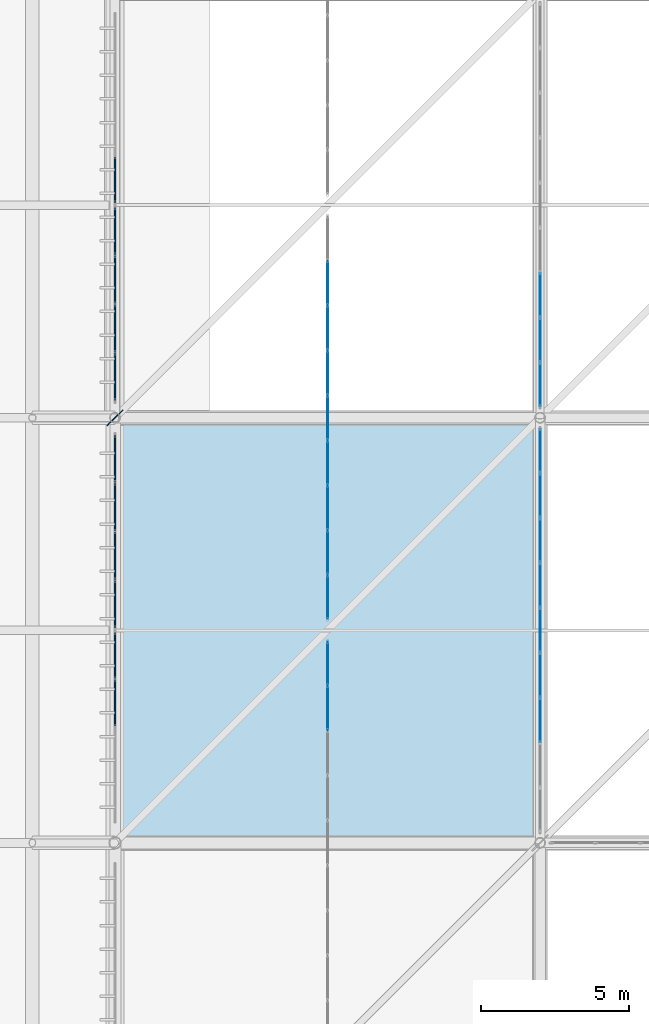
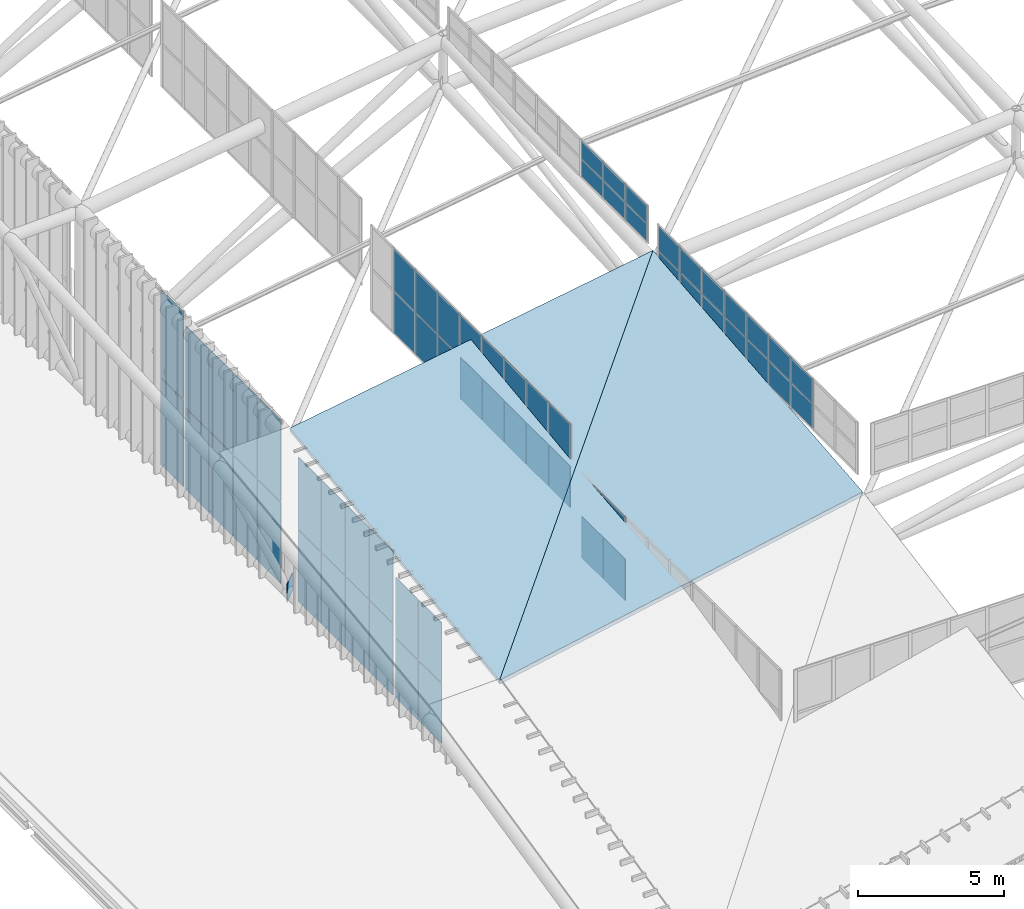
# One storey, part 362 of 397: 63 plates, 2 slabs, 8 elements without a shape of their own.
"""IFC4 building model written with IfcOpenShell, lengths in metres."""

from ifc_helpers import new_model, si_unit, direction, frame, origin, origin_2d, place, context, subcontext, project, spatial, polyline, rectangle, outline, extrude, material, layer, layer_set, type_object, element, aggregate, save


model = new_model("IFC4")

# Units and contexts
model_context = context("Model", 3, precision=1e-05, world=origin(), true_north=direction((0.0, 1.0)))
body_context = subcontext(model_context, "Body", "Model", "MODEL_VIEW")
ifc_project = project(units=[si_unit("LENGTHUNIT", "METRE"), si_unit("AREAUNIT", "SQUARE_METRE"), si_unit("VOLUMEUNIT", "CUBIC_METRE"), si_unit("PLANEANGLEUNIT", "RADIAN"), si_unit("MASSUNIT", "GRAM", prefix="KILO")], contexts=[model_context])

# Site, building, storey
site_placement = place(None, origin())
site = spatial("IfcSite", under=ifc_project, at=site_placement, CompositionType="ELEMENT")
building_placement = place(site_placement, origin())
building = spatial("IfcBuilding", under=site, at=building_placement, Name="Qandorah Velis Arena", CompositionType="ELEMENT")
storey_placement = place(building_placement, frame((0.0, 0.0, 27.5)))
storey = spatial("IfcBuildingStorey", under=building, at=storey_placement, Name="RF", CompositionType="ELEMENT", Elevation=27.5)

# Curtain wall, plates
ifc_material_1 = material(Name="Solar-control low-E double glazing", Category="glass")
curtain_wall_type_1 = type_object("IfcCurtainWallType", Name="ARC-CW-SYS07", PredefinedType="USERDEFINED", material=ifc_material_1)
curtain_wall_1_placement = place(storey_placement, origin())
curtain_wall_1 = element("IfcCurtainWall", 1, at=curtain_wall_1_placement, inside=storey, type_object=curtain_wall_type_1, Name="Unitised curtain wall MON-1-1", ObjectType="UNITISED CURTAIN WALL", PredefinedType="USERDEFINED")
ifc_layer_1 = layer(ifc_material_1, 0.030029296875)
ifc_layer_set_1 = layer_set([ifc_layer_1], Name="Solar-control low-E double glazing")
plate_type_1 = type_object("IfcPlateType", Name="ARC-CWP-GLZ30", PredefinedType="CURTAIN_PANEL", material=ifc_layer_set_1)
plate_1_placement = place(storey_placement, frame((21.60009765625, 33.36669921875, 3.58642578125), z_axis=(0.0, 0.0, 1.0), x_axis=(0.0, 1.0, 0.0)))
plate_1 = element("IfcPlate", 2, at=plate_1_placement, type_object=plate_type_1, Name="CW07 panel 8.1", PredefinedType="CURTAIN_PANEL", context=body_context, shape_type="SweptSolid", body=[
    extrude(rectangle(XDim=1.4873046875, YDim=0.030029296875, at=origin_2d()), origin(), (0.0, 0.0, 1.0), 1.737548828125),
])
plate_2_placement = place(storey_placement, frame((21.60009765625, 33.36669921875, 5.35888671875), z_axis=(0.0, 0.0, 1.0), x_axis=(0.0, 1.0, 0.0)))
plate_2 = element("IfcPlate", 3, at=plate_2_placement, type_object=plate_type_1, Name="CW07 panel 8.2", PredefinedType="CURTAIN_PANEL", context=body_context, shape_type="SweptSolid", body=[
    extrude(rectangle(XDim=1.4873046875, YDim=0.030029296875, at=origin_2d()), origin(), (0.0, 0.0, 1.0), 1.737548828125),
])
plate_3_placement = place(storey_placement, frame((21.60009765625, 34.875244140625, 3.58642578125), z_axis=(0.0, 0.0, 1.0), x_axis=(0.0, 1.0, 0.0)))
plate_3 = element("IfcPlate", 4, at=plate_3_placement, type_object=plate_type_1, Name="CW07 panel 9.1", PredefinedType="CURTAIN_PANEL", context=body_context, shape_type="SweptSolid", body=[
    extrude(rectangle(XDim=1.459716796875, YDim=0.030029296875, at=origin_2d()), origin(), (0.0, 0.0, 1.0), 1.737548828125),
])
plate_4_placement = place(storey_placement, frame((21.60009765625, 34.875244140625, 5.35888671875), z_axis=(0.0, 0.0, 1.0), x_axis=(0.0, 1.0, 0.0)))
plate_4 = element("IfcPlate", 5, at=plate_4_placement, type_object=plate_type_1, Name="CW07 panel 9.2", PredefinedType="CURTAIN_PANEL", context=body_context, shape_type="SweptSolid", body=[
    extrude(rectangle(XDim=1.459716796875, YDim=0.030029296875, at=origin_2d()), origin(), (0.0, 0.0, 1.0), 1.737548828125),
])
aggregate(curtain_wall_1, [plate_1, plate_2, plate_3, plate_4])

curtain_wall_type_2 = type_object("IfcCurtainWallType", Name="ARC-CW-SYS08", PredefinedType="USERDEFINED", material=ifc_material_1)
curtain_wall_2_placement = place(storey_placement, origin())
curtain_wall_2 = element("IfcCurtainWall", 6, at=curtain_wall_2_placement, inside=storey, type_object=curtain_wall_type_2, Name="Unitised curtain wall MON-1-2", ObjectType="UNITISED CURTAIN WALL", PredefinedType="USERDEFINED")
plate_5_placement = place(storey_placement, frame((21.60009765625, 37.124755859375, 5.1943359375), z_axis=(0.0, 0.0, 1.0), x_axis=(0.0, 1.0, 0.0)))
plate_5 = element("IfcPlate", 7, at=plate_5_placement, type_object=plate_type_1, Name="CW08 panel 1.1", PredefinedType="CURTAIN_PANEL", context=body_context, shape_type="SweptSolid", body=[
    extrude(rectangle(XDim=1.459716796875, YDim=0.030029296875, at=origin_2d()), origin(), (0.0, 0.0, 1.0), 1.737548828125),
])
plate_6_placement = place(storey_placement, frame((21.60009765625, 37.124755859375, 6.966796875), z_axis=(0.0, 0.0, 1.0), x_axis=(0.0, 1.0, 0.0)))
plate_6 = element("IfcPlate", 8, at=plate_6_placement, type_object=plate_type_1, Name="CW08 panel 1.2", PredefinedType="CURTAIN_PANEL", context=body_context, shape_type="SweptSolid", body=[
    extrude(rectangle(XDim=1.459716796875, YDim=0.030029296875, at=origin_2d()), origin(), (0.0, 0.0, 1.0), 1.737548828125),
])
plate_7_placement = place(storey_placement, frame((21.60009765625, 38.63330078125, 5.1943359375), z_axis=(0.0, 0.0, 1.0), x_axis=(0.0, 1.0, 0.0)))
plate_7 = element("IfcPlate", 9, at=plate_7_placement, type_object=plate_type_1, Name="CW08 panel 2.1", PredefinedType="CURTAIN_PANEL", context=body_context, shape_type="SweptSolid", body=[
    extrude(rectangle(XDim=1.4873046875, YDim=0.030029296875, at=origin_2d()), origin(), (0.0, 0.0, 1.0), 1.737548828125),
])
plate_8_placement = place(storey_placement, frame((21.60009765625, 38.63330078125, 6.966796875), z_axis=(0.0, 0.0, 1.0), x_axis=(0.0, 1.0, 0.0)))
plate_8 = element("IfcPlate", 10, at=plate_8_placement, type_object=plate_type_1, Name="CW08 panel 2.2", PredefinedType="CURTAIN_PANEL", context=body_context, shape_type="SweptSolid", body=[
    extrude(rectangle(XDim=1.4873046875, YDim=0.030029296875, at=origin_2d()), origin(), (0.0, 0.0, 1.0), 1.737548828125),
])
plate_9_placement = place(storey_placement, frame((21.60009765625, 40.155517578125, 5.1943359375), z_axis=(0.0, 0.0, 1.0), x_axis=(0.0, 1.0, 0.0)))
plate_9 = element("IfcPlate", 11, at=plate_9_placement, type_object=plate_type_1, Name="CW08 panel 3.1", PredefinedType="CURTAIN_PANEL", context=body_context, shape_type="SweptSolid", body=[
    extrude(rectangle(XDim=1.4873046875, YDim=0.030029296875, at=origin_2d()), origin(), (0.0, 0.0, 1.0), 1.737548828125),
])
plate_10_placement = place(storey_placement, frame((21.60009765625, 40.155517578125, 6.966796875), z_axis=(0.0, 0.0, 1.0), x_axis=(0.0, 1.0, 0.0)))
plate_10 = element("IfcPlate", 12, at=plate_10_placement, type_object=plate_type_1, Name="CW08 panel 3.2", PredefinedType="CURTAIN_PANEL", context=body_context, shape_type="SweptSolid", body=[
    extrude(rectangle(XDim=1.4873046875, YDim=0.030029296875, at=origin_2d()), origin(), (0.0, 0.0, 1.0), 1.737548828125),
])
plate_11_placement = place(storey_placement, frame((21.60009765625, 41.677734375, 5.1943359375), z_axis=(0.0, 0.0, 1.0), x_axis=(0.0, 1.0, 0.0)))
plate_11 = element("IfcPlate", 13, at=plate_11_placement, type_object=plate_type_1, Name="CW08 panel 4.1", PredefinedType="CURTAIN_PANEL", context=body_context, shape_type="SweptSolid", body=[
    extrude(rectangle(XDim=1.4873046875, YDim=0.030029296875, at=origin_2d()), origin(), (0.0, 0.0, 1.0), 1.737548828125),
])
plate_12_placement = place(storey_placement, frame((21.60009765625, 41.677734375, 6.966796875), z_axis=(0.0, 0.0, 1.0), x_axis=(0.0, 1.0, 0.0)))
plate_12 = element("IfcPlate", 14, at=plate_12_placement, type_object=plate_type_1, Name="CW08 panel 4.2", PredefinedType="CURTAIN_PANEL", context=body_context, shape_type="SweptSolid", body=[
    extrude(rectangle(XDim=1.4873046875, YDim=0.030029296875, at=origin_2d()), origin(), (0.0, 0.0, 1.0), 1.737548828125),
])
plate_13_placement = place(storey_placement, frame((21.60009765625, 43.199951171875, 5.1943359375), z_axis=(0.0, 0.0, 1.0), x_axis=(0.0, 1.0, 0.0)))
plate_13 = element("IfcPlate", 15, at=plate_13_placement, type_object=plate_type_1, Name="CW08 panel 5.1", PredefinedType="CURTAIN_PANEL", context=body_context, shape_type="SweptSolid", body=[
    extrude(rectangle(XDim=1.4873046875, YDim=0.030029296875, at=origin_2d()), origin(), (0.0, 0.0, 1.0), 1.737548828125),
])
plate_14_placement = place(storey_placement, frame((21.60009765625, 43.199951171875, 6.966796875), z_axis=(0.0, 0.0, 1.0), x_axis=(0.0, 1.0, 0.0)))
plate_14 = element("IfcPlate", 16, at=plate_14_placement, type_object=plate_type_1, Name="CW08 panel 5.2", PredefinedType="CURTAIN_PANEL", context=body_context, shape_type="SweptSolid", body=[
    extrude(rectangle(XDim=1.4873046875, YDim=0.030029296875, at=origin_2d()), origin(), (0.0, 0.0, 1.0), 1.737548828125),
])
plate_15_placement = place(storey_placement, frame((21.60009765625, 44.72216796875, 5.1943359375), z_axis=(0.0, 0.0, 1.0), x_axis=(0.0, 1.0, 0.0)))
plate_15 = element("IfcPlate", 17, at=plate_15_placement, type_object=plate_type_1, Name="CW08 panel 6.1", PredefinedType="CURTAIN_PANEL", context=body_context, shape_type="SweptSolid", body=[
    extrude(rectangle(XDim=1.4873046875, YDim=0.030029296875, at=origin_2d()), origin(), (0.0, 0.0, 1.0), 1.737548828125),
])
plate_16_placement = place(storey_placement, frame((21.60009765625, 44.72216796875, 6.966796875), z_axis=(0.0, 0.0, 1.0), x_axis=(0.0, 1.0, 0.0)))
plate_16 = element("IfcPlate", 18, at=plate_16_placement, type_object=plate_type_1, Name="CW08 panel 6.2", PredefinedType="CURTAIN_PANEL", context=body_context, shape_type="SweptSolid", body=[
    extrude(rectangle(XDim=1.4873046875, YDim=0.030029296875, at=origin_2d()), origin(), (0.0, 0.0, 1.0), 1.737548828125),
])
plate_17_placement = place(storey_placement, frame((21.60009765625, 46.244384765625, 5.1943359375), z_axis=(0.0, 0.0, 1.0), x_axis=(0.0, 1.0, 0.0)))
plate_17 = element("IfcPlate", 19, at=plate_17_placement, type_object=plate_type_1, Name="CW08 panel 7.1", PredefinedType="CURTAIN_PANEL", context=body_context, shape_type="SweptSolid", body=[
    extrude(rectangle(XDim=1.4873046875, YDim=0.030029296875, at=origin_2d()), origin(), (0.0, 0.0, 1.0), 1.737548828125),
])
plate_18_placement = place(storey_placement, frame((21.60009765625, 46.244384765625, 6.966796875), z_axis=(0.0, 0.0, 1.0), x_axis=(0.0, 1.0, 0.0)))
plate_18 = element("IfcPlate", 20, at=plate_18_placement, type_object=plate_type_1, Name="CW08 panel 7.2", PredefinedType="CURTAIN_PANEL", context=body_context, shape_type="SweptSolid", body=[
    extrude(rectangle(XDim=1.4873046875, YDim=0.030029296875, at=origin_2d()), origin(), (0.0, 0.0, 1.0), 1.737548828125),
])
plate_19_placement = place(storey_placement, frame((21.60009765625, 47.7666015625, 5.1943359375), z_axis=(0.0, 0.0, 1.0), x_axis=(0.0, 1.0, 0.0)))
plate_19 = element("IfcPlate", 21, at=plate_19_placement, type_object=plate_type_1, Name="CW08 panel 8.1", PredefinedType="CURTAIN_PANEL", context=body_context, shape_type="SweptSolid", body=[
    extrude(rectangle(XDim=1.4873046875, YDim=0.030029296875, at=origin_2d()), origin(), (0.0, 0.0, 1.0), 1.737548828125),
])
plate_20_placement = place(storey_placement, frame((21.60009765625, 47.7666015625, 6.966796875), z_axis=(0.0, 0.0, 1.0), x_axis=(0.0, 1.0, 0.0)))
plate_20 = element("IfcPlate", 22, at=plate_20_placement, type_object=plate_type_1, Name="CW08 panel 8.2", PredefinedType="CURTAIN_PANEL", context=body_context, shape_type="SweptSolid", body=[
    extrude(rectangle(XDim=1.4873046875, YDim=0.030029296875, at=origin_2d()), origin(), (0.0, 0.0, 1.0), 1.737548828125),
])
aggregate(curtain_wall_2, [plate_5, plate_6, plate_7, plate_8, plate_9, plate_10, plate_11, plate_12, plate_13, plate_14, plate_15, plate_16, plate_17, plate_18, plate_19, plate_20])

curtain_wall_type_3 = type_object("IfcCurtainWallType", Name="ARC-CW-SYS06", PredefinedType="USERDEFINED", material=ifc_material_1)
curtain_wall_3_placement = place(storey_placement, origin())
curtain_wall_3 = element("IfcCurtainWall", 23, at=curtain_wall_3_placement, inside=storey, type_object=curtain_wall_type_3, Name="Unitised curtain wall OCULUS-1-1", ObjectType="UNITISED CURTAIN WALL", PredefinedType="USERDEFINED")
plate_21_placement = place(storey_placement, frame((28.800048828125, 32.95556640625, 8.53125), z_axis=(0.0, 0.0, 1.0), x_axis=(0.0, 1.0, 0.0)))
plate_21 = element("IfcPlate", 24, at=plate_21_placement, type_object=plate_type_1, Name="CW06 panel 3.1", PredefinedType="CURTAIN_PANEL", context=body_context, shape_type="SweptSolid", body=[
    extrude(rectangle(XDim=1.4873046875, YDim=0.030029296875, at=origin_2d()), origin(), (0.0, 0.0, 1.0), 1.012451171875),
])
plate_22_placement = place(storey_placement, frame((28.800048828125, 32.95556640625, 9.57861328125), z_axis=(0.0, 0.0, 1.0), x_axis=(0.0, 1.0, 0.0)))
plate_22 = element("IfcPlate", 25, at=plate_22_placement, type_object=plate_type_1, Name="CW06 panel 3.2", PredefinedType="CURTAIN_PANEL", context=body_context, shape_type="SweptSolid", body=[
    extrude(rectangle(XDim=1.4873046875, YDim=0.030029296875, at=origin_2d()), origin(), (0.0, 0.0, 1.0), 1.012451171875),
])
plate_23_placement = place(storey_placement, frame((28.800048828125, 34.477783203125, 8.53125), z_axis=(0.0, 0.0, 1.0), x_axis=(0.0, 1.0, 0.0)))
plate_23 = element("IfcPlate", 26, at=plate_23_placement, type_object=plate_type_1, Name="CW06 panel 4.1", PredefinedType="CURTAIN_PANEL", context=body_context, shape_type="SweptSolid", body=[
    extrude(rectangle(XDim=1.4873046875, YDim=0.030029296875, at=origin_2d()), origin(), (0.0, 0.0, 1.0), 1.012451171875),
])
plate_24_placement = place(storey_placement, frame((28.800048828125, 34.477783203125, 9.57861328125), z_axis=(0.0, 0.0, 1.0), x_axis=(0.0, 1.0, 0.0)))
plate_24 = element("IfcPlate", 27, at=plate_24_placement, type_object=plate_type_1, Name="CW06 panel 4.2", PredefinedType="CURTAIN_PANEL", context=body_context, shape_type="SweptSolid", body=[
    extrude(rectangle(XDim=1.4873046875, YDim=0.030029296875, at=origin_2d()), origin(), (0.0, 0.0, 1.0), 1.012451171875),
])
plate_25_placement = place(storey_placement, frame((28.800048828125, 36.0, 8.53125), z_axis=(0.0, 0.0, 1.0), x_axis=(0.0, 1.0, 0.0)))
plate_25 = element("IfcPlate", 28, at=plate_25_placement, type_object=plate_type_1, Name="CW06 panel 5.1", PredefinedType="CURTAIN_PANEL", context=body_context, shape_type="SweptSolid", body=[
    extrude(rectangle(XDim=1.4873046875, YDim=0.030029296875, at=origin_2d()), origin(), (0.0, 0.0, 1.0), 1.012451171875),
])
plate_26_placement = place(storey_placement, frame((28.800048828125, 36.0, 9.57861328125), z_axis=(0.0, 0.0, 1.0), x_axis=(0.0, 1.0, 0.0)))
plate_26 = element("IfcPlate", 29, at=plate_26_placement, type_object=plate_type_1, Name="CW06 panel 5.2", PredefinedType="CURTAIN_PANEL", context=body_context, shape_type="SweptSolid", body=[
    extrude(rectangle(XDim=1.4873046875, YDim=0.030029296875, at=origin_2d()), origin(), (0.0, 0.0, 1.0), 1.012451171875),
])
plate_27_placement = place(storey_placement, frame((28.800048828125, 37.522216796875, 8.53125), z_axis=(0.0, 0.0, 1.0), x_axis=(0.0, 1.0, 0.0)))
plate_27 = element("IfcPlate", 30, at=plate_27_placement, type_object=plate_type_1, Name="CW06 panel 6.1", PredefinedType="CURTAIN_PANEL", context=body_context, shape_type="SweptSolid", body=[
    extrude(rectangle(XDim=1.4873046875, YDim=0.030029296875, at=origin_2d()), origin(), (0.0, 0.0, 1.0), 1.012451171875),
])
plate_28_placement = place(storey_placement, frame((28.800048828125, 37.522216796875, 9.57861328125), z_axis=(0.0, 0.0, 1.0), x_axis=(0.0, 1.0, 0.0)))
plate_28 = element("IfcPlate", 31, at=plate_28_placement, type_object=plate_type_1, Name="CW06 panel 6.2", PredefinedType="CURTAIN_PANEL", context=body_context, shape_type="SweptSolid", body=[
    extrude(rectangle(XDim=1.4873046875, YDim=0.030029296875, at=origin_2d()), origin(), (0.0, 0.0, 1.0), 1.012451171875),
])
plate_29_placement = place(storey_placement, frame((28.800048828125, 39.04443359375, 8.53125), z_axis=(0.0, 0.0, 1.0), x_axis=(0.0, 1.0, 0.0)))
plate_29 = element("IfcPlate", 32, at=plate_29_placement, type_object=plate_type_1, Name="CW06 panel 7.1", PredefinedType="CURTAIN_PANEL", context=body_context, shape_type="SweptSolid", body=[
    extrude(rectangle(XDim=1.4873046875, YDim=0.030029296875, at=origin_2d()), origin(), (0.0, 0.0, 1.0), 1.012451171875),
])
plate_30_placement = place(storey_placement, frame((28.800048828125, 39.04443359375, 9.57861328125), z_axis=(0.0, 0.0, 1.0), x_axis=(0.0, 1.0, 0.0)))
plate_30 = element("IfcPlate", 33, at=plate_30_placement, type_object=plate_type_1, Name="CW06 panel 7.2", PredefinedType="CURTAIN_PANEL", context=body_context, shape_type="SweptSolid", body=[
    extrude(rectangle(XDim=1.4873046875, YDim=0.030029296875, at=origin_2d()), origin(), (0.0, 0.0, 1.0), 1.012451171875),
])
plate_31_placement = place(storey_placement, frame((28.800048828125, 40.566650390625, 8.53125), z_axis=(0.0, 0.0, 1.0), x_axis=(0.0, 1.0, 0.0)))
plate_31 = element("IfcPlate", 34, at=plate_31_placement, type_object=plate_type_1, Name="CW06 panel 8.1", PredefinedType="CURTAIN_PANEL", context=body_context, shape_type="SweptSolid", body=[
    extrude(rectangle(XDim=1.4873046875, YDim=0.030029296875, at=origin_2d()), origin(), (0.0, 0.0, 1.0), 1.012451171875),
])
plate_32_placement = place(storey_placement, frame((28.800048828125, 40.566650390625, 9.57861328125), z_axis=(0.0, 0.0, 1.0), x_axis=(0.0, 1.0, 0.0)))
plate_32 = element("IfcPlate", 35, at=plate_32_placement, type_object=plate_type_1, Name="CW06 panel 8.2", PredefinedType="CURTAIN_PANEL", context=body_context, shape_type="SweptSolid", body=[
    extrude(rectangle(XDim=1.4873046875, YDim=0.030029296875, at=origin_2d()), origin(), (0.0, 0.0, 1.0), 1.012451171875),
])
plate_33_placement = place(storey_placement, frame((28.800048828125, 42.0751953125, 8.53125), z_axis=(0.0, 0.0, 1.0), x_axis=(0.0, 1.0, 0.0)))
plate_33 = element("IfcPlate", 36, at=plate_33_placement, type_object=plate_type_1, Name="CW06 panel 9.1", PredefinedType="CURTAIN_PANEL", context=body_context, shape_type="SweptSolid", body=[
    extrude(rectangle(XDim=1.459716796875, YDim=0.030029296875, at=origin_2d()), origin(), (0.0, 0.0, 1.0), 1.012451171875),
])
plate_34_placement = place(storey_placement, frame((28.800048828125, 42.0751953125, 9.57861328125), z_axis=(0.0, 0.0, 1.0), x_axis=(0.0, 1.0, 0.0)))
plate_34 = element("IfcPlate", 37, at=plate_34_placement, type_object=plate_type_1, Name="CW06 panel 9.2", PredefinedType="CURTAIN_PANEL", context=body_context, shape_type="SweptSolid", body=[
    extrude(rectangle(XDim=1.459716796875, YDim=0.030029296875, at=origin_2d()), origin(), (0.0, 0.0, 1.0), 1.012451171875),
])
aggregate(curtain_wall_3, [plate_21, plate_22, plate_23, plate_24, plate_25, plate_26, plate_27, plate_28, plate_29, plate_30, plate_31, plate_32, plate_33, plate_34])

curtain_wall_4_placement = place(storey_placement, origin())
curtain_wall_4 = element("IfcCurtainWall", 38, at=curtain_wall_4_placement, inside=storey, type_object=curtain_wall_type_1, Name="Unitised curtain wall OCULUS-1-2", ObjectType="UNITISED CURTAIN WALL", PredefinedType="USERDEFINED")
plate_35_placement = place(storey_placement, frame((28.800048828125, 44.324951171875, 9.47265625), z_axis=(0.0, 0.0, 1.0), x_axis=(0.0, 1.0, 0.0)))
plate_35 = element("IfcPlate", 39, at=plate_35_placement, type_object=plate_type_1, Name="CW07 panel 1.1", PredefinedType="CURTAIN_PANEL", context=body_context, shape_type="SweptSolid", body=[
    extrude(rectangle(XDim=1.459716796875, YDim=0.030029296875, at=origin_2d()), origin(), (0.0, 0.0, 1.0), 0.723876953125),
])
plate_36_placement = place(storey_placement, frame((28.800048828125, 44.324951171875, 10.2314453125), z_axis=(0.0, 0.0, 1.0), x_axis=(0.0, 1.0, 0.0)))
plate_36 = element("IfcPlate", 40, at=plate_36_placement, type_object=plate_type_1, Name="CW07 panel 1.2", PredefinedType="CURTAIN_PANEL", context=body_context, shape_type="SweptSolid", body=[
    extrude(rectangle(XDim=1.459716796875, YDim=0.030029296875, at=origin_2d()), origin(), (0.0, 0.0, 1.0), 0.7236328125),
])
plate_37_placement = place(storey_placement, frame((28.800048828125, 45.833251953125, 9.47265625), z_axis=(0.0, 0.0, 1.0), x_axis=(0.0, 1.0, 0.0)))
plate_37 = element("IfcPlate", 41, at=plate_37_placement, type_object=plate_type_1, Name="CW07 panel 2.1", PredefinedType="CURTAIN_PANEL", context=body_context, shape_type="SweptSolid", body=[
    extrude(rectangle(XDim=1.4873046875, YDim=0.030029296875, at=origin_2d()), origin(), (0.0, 0.0, 1.0), 0.723876953125),
])
plate_38_placement = place(storey_placement, frame((28.800048828125, 45.833251953125, 10.2314453125), z_axis=(0.0, 0.0, 1.0), x_axis=(0.0, 1.0, 0.0)))
plate_38 = element("IfcPlate", 42, at=plate_38_placement, type_object=plate_type_1, Name="CW07 panel 2.2", PredefinedType="CURTAIN_PANEL", context=body_context, shape_type="SweptSolid", body=[
    extrude(rectangle(XDim=1.4873046875, YDim=0.030029296875, at=origin_2d()), origin(), (0.0, 0.0, 1.0), 0.7236328125),
])
plate_39_placement = place(storey_placement, frame((28.800048828125, 47.35546875, 9.47265625), z_axis=(0.0, 0.0, 1.0), x_axis=(0.0, 1.0, 0.0)))
plate_39 = element("IfcPlate", 43, at=plate_39_placement, type_object=plate_type_1, Name="CW07 panel 3.1", PredefinedType="CURTAIN_PANEL", context=body_context, shape_type="SweptSolid", body=[
    extrude(rectangle(XDim=1.4873046875, YDim=0.030029296875, at=origin_2d()), origin(), (0.0, 0.0, 1.0), 0.723876953125),
])
plate_40_placement = place(storey_placement, frame((28.800048828125, 47.35546875, 10.2314453125), z_axis=(0.0, 0.0, 1.0), x_axis=(0.0, 1.0, 0.0)))
plate_40 = element("IfcPlate", 44, at=plate_40_placement, type_object=plate_type_1, Name="CW07 panel 3.2", PredefinedType="CURTAIN_PANEL", context=body_context, shape_type="SweptSolid", body=[
    extrude(rectangle(XDim=1.4873046875, YDim=0.030029296875, at=origin_2d()), origin(), (0.0, 0.0, 1.0), 0.7236328125),
])
aggregate(curtain_wall_4, [plate_35, plate_36, plate_37, plate_38, plate_39, plate_40])

curtain_wall_type_4 = type_object("IfcCurtainWallType", Name="ARC-CW-SYS02", PredefinedType="USERDEFINED", material=ifc_material_1)
curtain_wall_5_placement = place(storey_placement, origin())
curtain_wall_5 = element("IfcCurtainWall", 45, at=curtain_wall_5_placement, inside=storey, type_object=curtain_wall_type_4, Name="Unitised curtain wall CROWN-1-02S1", ObjectType="UNITISED CURTAIN WALL", PredefinedType="USERDEFINED")
ifc_layer_2 = layer(ifc_material_1, 0.035888671875)
ifc_layer_set_2 = layer_set([ifc_layer_2], Name="Solar-control low-E double glazing")
plate_type_2 = type_object("IfcPlateType", Name="ARC-CWP-GLZ36", PredefinedType="CURTAIN_PANEL", material=ifc_layer_set_2)
plate_41_placement = place(storey_placement, frame((14.39990234375, 33.546875, 0.0498046875), z_axis=(0.0, 0.0, 1.0), x_axis=(0.0, 1.0, 0.0)))
plate_41 = element("IfcPlate", 46, at=plate_41_placement, type_object=plate_type_2, Name="CW02 panel 3.1", PredefinedType="CURTAIN_PANEL", context=body_context, shape_type="SweptSolid", body=[
    extrude(rectangle(XDim=1.56884765625, YDim=0.035888671875, at=origin_2d()), origin(), (0.0, 0.0, 1.0), 2.505615234375),
])
plate_42_placement = place(storey_placement, frame((14.39990234375, 33.546875, 2.595703125), z_axis=(0.0, 0.0, 1.0), x_axis=(0.0, 1.0, 0.0)))
plate_42 = element("IfcPlate", 47, at=plate_42_placement, type_object=plate_type_2, Name="CW02 panel 3.2", PredefinedType="CURTAIN_PANEL", context=body_context, shape_type="SweptSolid", body=[
    extrude(rectangle(XDim=1.56884765625, YDim=0.035888671875, at=origin_2d()), origin(), (0.0, 0.0, 1.0), 2.505615234375),
])
plate_43_placement = place(storey_placement, frame((14.39990234375, 35.140625, 0.0498046875), z_axis=(0.0, 0.0, 1.0), x_axis=(0.0, 1.0, 0.0)))
plate_43 = element("IfcPlate", 48, at=plate_43_placement, type_object=plate_type_2, Name="CW02 panel 4.1", PredefinedType="CURTAIN_PANEL", context=body_context, shape_type="SweptSolid", body=[
    extrude(rectangle(XDim=1.538818359375, YDim=0.035888671875, at=origin_2d()), origin(), (0.0, 0.0, 1.0), 2.505615234375),
])
plate_44_placement = place(storey_placement, frame((14.39990234375, 35.140625, 2.595703125), z_axis=(0.0, 0.0, 1.0), x_axis=(0.0, 1.0, 0.0)))
plate_44 = element("IfcPlate", 49, at=plate_44_placement, type_object=plate_type_2, Name="CW02 panel 4.2", PredefinedType="CURTAIN_PANEL", context=body_context, shape_type="SweptSolid", body=[
    extrude(rectangle(XDim=1.538818359375, YDim=0.035888671875, at=origin_2d()), origin(), (0.0, 0.0, 1.0), 2.505615234375),
])
aggregate(curtain_wall_5, [plate_41, plate_42, plate_43, plate_44])

curtain_wall_type_5 = type_object("IfcCurtainWallType", Name="ARC-CW-SYS03", PredefinedType="USERDEFINED", material=ifc_material_1)
curtain_wall_6_placement = place(storey_placement, origin())
curtain_wall_6 = element("IfcCurtainWall", 50, at=curtain_wall_6_placement, inside=storey, type_object=curtain_wall_type_5, Name="Unitised curtain wall CROWN-1-02S2", ObjectType="UNITISED CURTAIN WALL", PredefinedType="USERDEFINED")
plate_45_placement = place(storey_placement, frame((14.39990234375, 36.88134765625, 0.0498046875), z_axis=(0.0, 0.0, 1.0), x_axis=(0.0, 1.0, 0.0)))
plate_45 = element("IfcPlate", 51, at=plate_45_placement, type_object=plate_type_2, Name="CW03 panel 1.1", PredefinedType="CURTAIN_PANEL", context=body_context, shape_type="SweptSolid", body=[
    extrude(rectangle(XDim=1.58251953125, YDim=0.035888671875, at=origin_2d()), origin(), (0.0, 0.0, 1.0), 2.994873046875),
])
plate_46_placement = place(storey_placement, frame((14.39990234375, 36.88134765625, 3.084716796875), z_axis=(0.0, 0.0, 1.0), x_axis=(0.0, 1.0, 0.0)))
plate_46 = element("IfcPlate", 52, at=plate_46_placement, type_object=plate_type_2, Name="CW03 panel 1.2", PredefinedType="CURTAIN_PANEL", context=body_context, shape_type="SweptSolid", body=[
    extrude(rectangle(XDim=1.58251953125, YDim=0.035888671875, at=origin_2d()), origin(), (0.0, 0.0, 1.0), 2.99462890625),
])
plate_47_placement = place(storey_placement, frame((14.39990234375, 38.518798828125, 0.0498046875), z_axis=(0.0, 0.0, 1.0), x_axis=(0.0, 1.0, 0.0)))
plate_47 = element("IfcPlate", 53, at=plate_47_placement, type_object=plate_type_2, Name="CW03 panel 2.1", PredefinedType="CURTAIN_PANEL", context=body_context, shape_type="SweptSolid", body=[
    extrude(rectangle(XDim=1.612548828125, YDim=0.035888671875, at=origin_2d()), origin(), (0.0, 0.0, 1.0), 2.994873046875),
])
plate_48_placement = place(storey_placement, frame((14.39990234375, 38.518798828125, 3.084716796875), z_axis=(0.0, 0.0, 1.0), x_axis=(0.0, 1.0, 0.0)))
plate_48 = element("IfcPlate", 54, at=plate_48_placement, type_object=plate_type_2, Name="CW03 panel 2.2", PredefinedType="CURTAIN_PANEL", context=body_context, shape_type="SweptSolid", body=[
    extrude(rectangle(XDim=1.612548828125, YDim=0.035888671875, at=origin_2d()), origin(), (0.0, 0.0, 1.0), 2.99462890625),
])
plate_49_placement = place(storey_placement, frame((14.39990234375, 40.171142578125, 0.0498046875), z_axis=(0.0, 0.0, 1.0), x_axis=(0.0, 1.0, 0.0)))
plate_49 = element("IfcPlate", 55, at=plate_49_placement, type_object=plate_type_2, Name="CW03 panel 3.1", PredefinedType="CURTAIN_PANEL", context=body_context, shape_type="SweptSolid", body=[
    extrude(rectangle(XDim=1.612548828125, YDim=0.035888671875, at=origin_2d()), origin(), (0.0, 0.0, 1.0), 2.994873046875),
])
plate_50_placement = place(storey_placement, frame((14.39990234375, 40.171142578125, 3.084716796875), z_axis=(0.0, 0.0, 1.0), x_axis=(0.0, 1.0, 0.0)))
plate_50 = element("IfcPlate", 56, at=plate_50_placement, type_object=plate_type_2, Name="CW03 panel 3.2", PredefinedType="CURTAIN_PANEL", context=body_context, shape_type="SweptSolid", body=[
    extrude(rectangle(XDim=1.612548828125, YDim=0.035888671875, at=origin_2d()), origin(), (0.0, 0.0, 1.0), 2.99462890625),
])
plate_51_placement = place(storey_placement, frame((14.39990234375, 41.808837890625, 0.0498046875), z_axis=(0.0, 0.0, 1.0), x_axis=(0.0, 1.0, 0.0)))
plate_51 = element("IfcPlate", 57, at=plate_51_placement, type_object=plate_type_2, Name="CW03 panel 4.1", PredefinedType="CURTAIN_PANEL", context=body_context, shape_type="SweptSolid", body=[
    extrude(rectangle(XDim=1.58251953125, YDim=0.035888671875, at=origin_2d()), origin(), (0.0, 0.0, 1.0), 2.994873046875),
])
plate_52_placement = place(storey_placement, frame((14.39990234375, 41.808837890625, 3.084716796875), z_axis=(0.0, 0.0, 1.0), x_axis=(0.0, 1.0, 0.0)))
plate_52 = element("IfcPlate", 58, at=plate_52_placement, type_object=plate_type_2, Name="CW03 panel 4.2", PredefinedType="CURTAIN_PANEL", context=body_context, shape_type="SweptSolid", body=[
    extrude(rectangle(XDim=1.58251953125, YDim=0.035888671875, at=origin_2d()), origin(), (0.0, 0.0, 1.0), 2.99462890625),
])
aggregate(curtain_wall_6, [plate_45, plate_46, plate_47, plate_48, plate_49, plate_50, plate_51, plate_52])

curtain_wall_7_placement = place(storey_placement, origin())
curtain_wall_7 = element("IfcCurtainWall", 59, at=curtain_wall_7_placement, inside=storey, type_object=curtain_wall_type_5, Name="Unitised curtain wall CROWN-1-03S1", ObjectType="UNITISED CURTAIN WALL", PredefinedType="USERDEFINED")
plate_53_placement = place(storey_placement, frame((14.39990234375, 44.59130859375, 0.050048828125), z_axis=(0.0, 0.0, 1.0), x_axis=(0.0, 1.0, 0.0)))
plate_53 = element("IfcPlate", 60, at=plate_53_placement, type_object=plate_type_2, Name="CW03 panel 1.1", PredefinedType="CURTAIN_PANEL", context=body_context, shape_type="SweptSolid", body=[
    extrude(rectangle(XDim=1.58251953125, YDim=0.035888671875, at=origin_2d()), origin(), (0.0, 0.0, 1.0), 3.4033203125),
])
plate_54_placement = place(storey_placement, frame((14.39990234375, 44.59130859375, 3.493408203125), z_axis=(0.0, 0.0, 1.0), x_axis=(0.0, 1.0, 0.0)))
plate_54 = element("IfcPlate", 61, at=plate_54_placement, type_object=plate_type_2, Name="CW03 panel 1.2", PredefinedType="CURTAIN_PANEL", context=body_context, shape_type="SweptSolid", body=[
    extrude(rectangle(XDim=1.58251953125, YDim=0.035888671875, at=origin_2d()), origin(), (0.0, 0.0, 1.0), 3.4033203125),
])
plate_55_placement = place(storey_placement, frame((14.39990234375, 46.228759765625, 0.050048828125), z_axis=(0.0, 0.0, 1.0), x_axis=(0.0, 1.0, 0.0)))
plate_55 = element("IfcPlate", 62, at=plate_55_placement, type_object=plate_type_2, Name="CW03 panel 2.1", PredefinedType="CURTAIN_PANEL", context=body_context, shape_type="SweptSolid", body=[
    extrude(rectangle(XDim=1.612548828125, YDim=0.035888671875, at=origin_2d()), origin(), (0.0, 0.0, 1.0), 3.4033203125),
])
plate_56_placement = place(storey_placement, frame((14.39990234375, 46.228759765625, 3.493408203125), z_axis=(0.0, 0.0, 1.0), x_axis=(0.0, 1.0, 0.0)))
plate_56 = element("IfcPlate", 63, at=plate_56_placement, type_object=plate_type_2, Name="CW03 panel 2.2", PredefinedType="CURTAIN_PANEL", context=body_context, shape_type="SweptSolid", body=[
    extrude(rectangle(XDim=1.612548828125, YDim=0.035888671875, at=origin_2d()), origin(), (0.0, 0.0, 1.0), 3.4033203125),
])
plate_57_placement = place(storey_placement, frame((14.39990234375, 47.88134765625, 0.050048828125), z_axis=(0.0, 0.0, 1.0), x_axis=(0.0, 1.0, 0.0)))
plate_57 = element("IfcPlate", 64, at=plate_57_placement, type_object=plate_type_2, Name="CW03 panel 3.1", PredefinedType="CURTAIN_PANEL", context=body_context, shape_type="SweptSolid", body=[
    extrude(rectangle(XDim=1.612548828125, YDim=0.035888671875, at=origin_2d()), origin(), (0.0, 0.0, 1.0), 3.4033203125),
])
plate_58_placement = place(storey_placement, frame((14.39990234375, 47.88134765625, 3.493408203125), z_axis=(0.0, 0.0, 1.0), x_axis=(0.0, 1.0, 0.0)))
plate_58 = element("IfcPlate", 65, at=plate_58_placement, type_object=plate_type_2, Name="CW03 panel 3.2", PredefinedType="CURTAIN_PANEL", context=body_context, shape_type="SweptSolid", body=[
    extrude(rectangle(XDim=1.612548828125, YDim=0.035888671875, at=origin_2d()), origin(), (0.0, 0.0, 1.0), 3.4033203125),
])
plate_59_placement = place(storey_placement, frame((14.39990234375, 49.518798828125, 0.050048828125), z_axis=(0.0, 0.0, 1.0), x_axis=(0.0, 1.0, 0.0)))
plate_59 = element("IfcPlate", 66, at=plate_59_placement, type_object=plate_type_2, Name="CW03 panel 4.1", PredefinedType="CURTAIN_PANEL", context=body_context, shape_type="SweptSolid", body=[
    extrude(rectangle(XDim=1.58251953125, YDim=0.035888671875, at=origin_2d()), origin(), (0.0, 0.0, 1.0), 3.4033203125),
])
plate_60_placement = place(storey_placement, frame((14.39990234375, 49.518798828125, 3.493408203125), z_axis=(0.0, 0.0, 1.0), x_axis=(0.0, 1.0, 0.0)))
plate_60 = element("IfcPlate", 67, at=plate_60_placement, type_object=plate_type_2, Name="CW03 panel 4.2", PredefinedType="CURTAIN_PANEL", context=body_context, shape_type="SweptSolid", body=[
    extrude(rectangle(XDim=1.58251953125, YDim=0.035888671875, at=origin_2d()), origin(), (0.0, 0.0, 1.0), 3.4033203125),
])
aggregate(curtain_wall_7, [plate_53, plate_54, plate_55, plate_56, plate_57, plate_58, plate_59, plate_60])

curtain_wall_type_6 = type_object("IfcCurtainWallType", Name="ARC-CW-SYS04", PredefinedType="USERDEFINED", material=ifc_material_1)
curtain_wall_8_placement = place(storey_placement, origin())
curtain_wall_8 = element("IfcCurtainWall", 68, at=curtain_wall_8_placement, inside=storey, type_object=curtain_wall_type_6, Name="Unitised curtain wall CROWN-1-03S2", ObjectType="UNITISED CURTAIN WALL", PredefinedType="USERDEFINED")
plate_61_placement = place(storey_placement, frame((14.39990234375, 51.25927734375, 0.050048828125), z_axis=(0.0, 0.0, 1.0), x_axis=(0.0, 1.0, 0.0)))
plate_61 = element("IfcPlate", 69, at=plate_61_placement, type_object=plate_type_2, Name="CW04 panel 1.1", PredefinedType="CURTAIN_PANEL", context=body_context, shape_type="SweptSolid", body=[
    extrude(rectangle(XDim=1.538818359375, YDim=0.035888671875, at=origin_2d()), origin(), (0.0, 0.0, 1.0), 3.64111328125),
])
plate_62_placement = place(storey_placement, frame((14.39990234375, 51.25927734375, 3.73095703125), z_axis=(0.0, 0.0, 1.0), x_axis=(0.0, 1.0, 0.0)))
plate_62 = element("IfcPlate", 70, at=plate_62_placement, type_object=plate_type_2, Name="CW04 panel 1.2", PredefinedType="CURTAIN_PANEL", context=body_context, shape_type="SweptSolid", body=[
    extrude(rectangle(XDim=1.538818359375, YDim=0.035888671875, at=origin_2d()), origin(), (0.0, 0.0, 1.0), 3.641357421875),
])
aggregate(curtain_wall_8, [plate_61, plate_62])

# Plate
ifc_material_2 = material(Name="Steel S355", Category="steel")
ifc_layer_3 = layer(ifc_material_2, 0.031982421875)
ifc_layer_set_3 = layer_set([ifc_layer_3], Name="Steel S355")
plate_type_3 = type_object("IfcPlateType", Name="STR-PLT-GUS32", PredefinedType="SHEET", material=ifc_layer_set_3)
plate_63_placement = place(storey_placement, frame((14.39990234375, 43.199951171875, -0.125), z_axis=(0.0, 0.0, 1.0), x_axis=(0.707106781187, 0.707106781187, 0.0)))
element("IfcPlate", 71, at=plate_63_placement, inside=storey, type_object=plate_type_3, Name="Space frame gusset plate 0.2", PredefinedType="SHEET", context=body_context, shape_type="SweptSolid", body=[
    extrude(rectangle(XDim=0.75, YDim=0.031982421875, at=origin_2d()), origin(), (0.0, 0.0, 1.0), 0.75),
])

# Slabs
ifc_material_3 = material(Name="Concrete C40/50", Category="concrete")
ifc_layer_4 = layer(ifc_material_3, 0.179931640625)
ifc_layer_set_4 = layer_set([ifc_layer_4], Name="Concrete C40/50")
slab_type = type_object("IfcSlabType", Name="STR-SLB-RF180", PredefinedType="ROOF", material=ifc_layer_set_4)
slab_1_placement = place(storey_placement, frame((14.39990234375, 28.800048828125, 5.083251953125), z_axis=(-0.193750088794, -0.094401583937, 0.97649846085), x_axis=(0.980878870904, 0.0, 0.194619219541)))
element("IfcSlab", 72, at=slab_1_placement, inside=storey, type_object=slab_type, Name="Arena space-frame roof deck panel 0.1A", PredefinedType="ROOF", context=body_context, shape_type="SweptSolid", body=[
    extrude(outline(polyline([(0.0, 0.0), (14.680861125195142, 0.0), (14.951788564116692, 14.464497916120285), (0.0, 0.0)])), origin(), (0.0, 0.0, -1.0), 0.179931640625),
])
slab_2_placement = place(storey_placement, frame((14.39990234375, 28.800048828125, 5.083251953125), z_axis=(-0.163713948444, -0.125043874095, 0.978550853373), x_axis=(0.692204601688, 0.692192866026, 0.204259211847)))
element("IfcSlab", 73, at=slab_2_placement, inside=storey, type_object=slab_type, Name="Arena space-frame roof deck panel 0.1B", PredefinedType="ROOF", context=body_context, shape_type="SweptSolid", body=[
    extrude(outline(polyline([(0.0, 0.0), (20.80330938171854, -1.2906342661267445e-15), (10.343364576078542, 10.186163173692293), (0.0, 0.0)])), origin(), (0.0, 0.0, -1.0), 0.179931640625),
])

save(model, "model.ifc")
